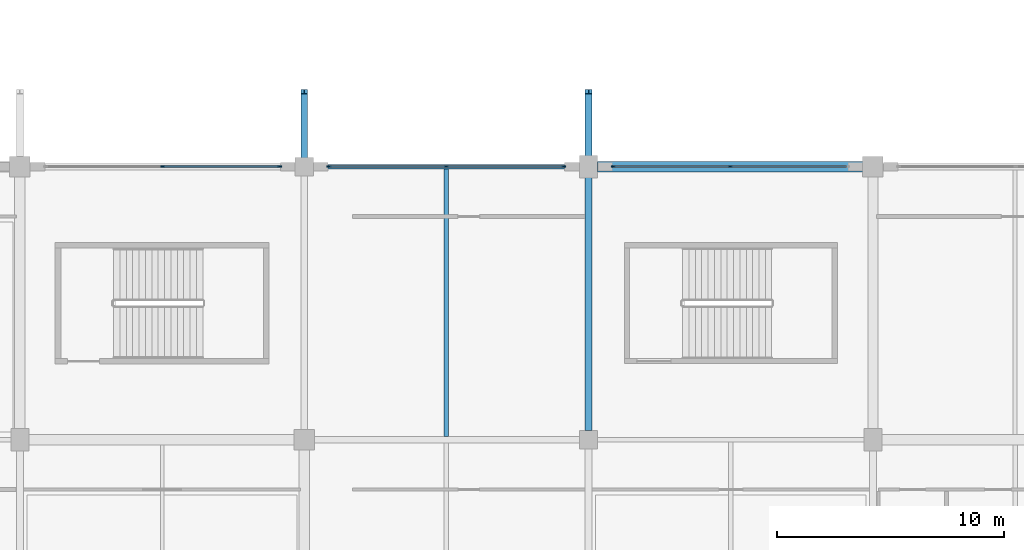
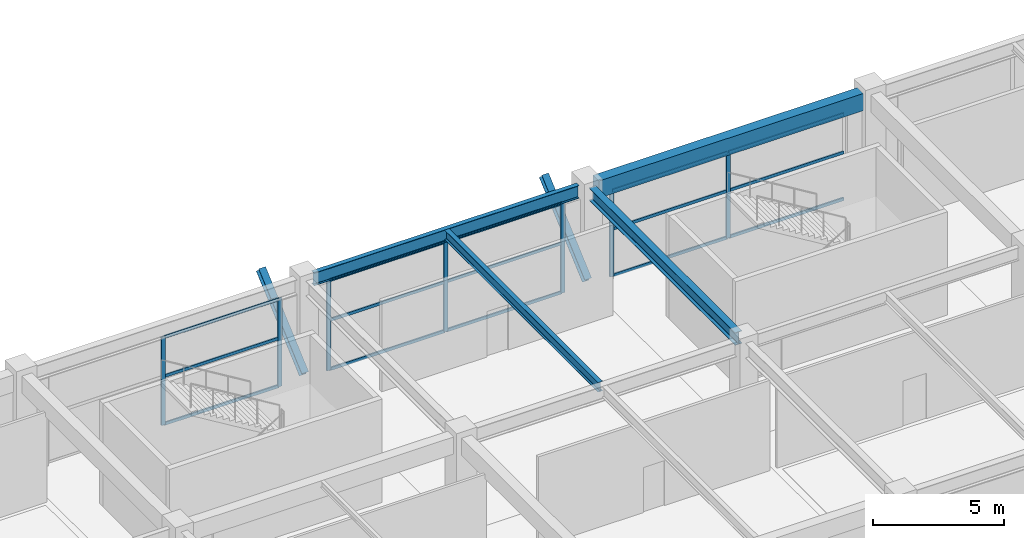
# One storey, part 32 of 116: 24 members, 4 beams, 3 elements without a shape of their own.
"""IFC4 building model written with IfcOpenShell, lengths in metres."""

import ifcopenshell
import ifcopenshell.guid

model = None  # the IFC model being written
_history = None  # IfcOwnerHistory: only IFC2X3 demands one
_inside = {}  # id of a spatial element -> (the spatial element, [elements in it])
_under = {}  # id of a project, library or spatial element -> (it, [spatial elements below it])
_declared = {}  # id of a project -> (the project, [libraries it declares])
_typed = {}  # id of a type object -> (the type object, [elements of that type])
_made_of = {}  # id of a material, layer set ... -> (it, [elements and type objects made of it])


def new_model(schema):
    """Start an empty IFC model of exactly this schema.

    Asked for "IFC4X3", IfcOpenShell would pick the latest addendum, in which some entities
    have other attributes; the version numbers below select the first issue.
    IFC2X3 requires an IfcOwnerHistory on every rooted entity: one is made here for all.
    """
    global model, _history
    if schema == "IFC4X3":
        model = ifcopenshell.file(schema_version=(4, 3, 0, 0))
    else:
        model = ifcopenshell.file(schema=schema)
    _inside.clear()
    _under.clear()
    _declared.clear()
    _typed.clear()
    _made_of.clear()
    _history = None
    if model.schema == "IFC2X3":
        org = make("IfcOrganization", Name="unknown")
        user = make(
            "IfcPersonAndOrganization",
            ThePerson=make("IfcPerson", FamilyName="unknown"),
            TheOrganization=org,
        )
        app = make(
            "IfcApplication",
            ApplicationDeveloper=org,
            Version="unknown",
            ApplicationFullName="unknown",
            ApplicationIdentifier="unknown",
        )
        _history = make(
            "IfcOwnerHistory",
            OwningUser=user,
            OwningApplication=app,
            ChangeAction="ADDED",
            CreationDate=0,
        )
    return model


def make(cls, **values):
    """One entity of the class cls with the attributes given. An attribute that is None is left unset."""
    return model.create_entity(
        cls, **{name: value for name, value in values.items() if value is not None}
    )


def rooted(cls, **values):
    """An entity with a GlobalId (a new one), such as an element, a storey or a relation."""
    return make(cls, GlobalId=ifcopenshell.guid.new(), OwnerHistory=_history, **values)


def si_unit(unit_type, name, prefix=None):
    """IfcSIUnit, for example si_unit("LENGTHUNIT", "METRE", prefix="MILLI")."""
    return make("IfcSIUnit", UnitType=unit_type, Prefix=prefix, Name=name)


def assignment(units):
    """IfcUnitAssignment: the units of a project."""
    return None if units is None else make("IfcUnitAssignment", Units=units)


def point(xyz):
    """IfcCartesianPoint."""
    return None if xyz is None else make("IfcCartesianPoint", Coordinates=xyz)


def direction(xyz):
    """IfcDirection."""
    return None if xyz is None else make("IfcDirection", DirectionRatios=xyz)


def frame(location, z_axis=None, x_axis=None):
    """IfcAxis2Placement3D, a coordinate frame: its origin and axes. An axis left out is left unset."""
    return make(
        "IfcAxis2Placement3D",
        Location=point(location),
        Axis=direction(z_axis),
        RefDirection=direction(x_axis),
    )


def frame_2d(location, x_axis=None):
    """IfcAxis2Placement2D, a coordinate frame in the plane: its origin and x axis."""
    return make(
        "IfcAxis2Placement2D", Location=point(location), RefDirection=direction(x_axis)
    )


def origin():
    """The frame at (0, 0, 0) with its axes left unset."""
    return frame((0.0, 0.0, 0.0))


def origin_2d():
    """The frame at (0, 0) in the plane with its x axis left unset."""
    return frame_2d((0.0, 0.0))


def place(relative_to, where):
    """IfcLocalPlacement: puts the frame where relative to a parent placement (None: the world)."""
    return make(
        "IfcLocalPlacement", PlacementRelTo=relative_to, RelativePlacement=where
    )


def context(
    kind, dimensions, precision=None, world=None, true_north=None, identifier=None
):
    """IfcGeometricRepresentationContext, for example the 3D "Model" context."""
    return make(
        "IfcGeometricRepresentationContext",
        ContextIdentifier=identifier,
        ContextType=kind,
        CoordinateSpaceDimension=dimensions,
        Precision=precision,
        WorldCoordinateSystem=world,
        TrueNorth=true_north,
    )


def subcontext(parent, identifier, kind, view, scale=None):
    """IfcGeometricRepresentationSubContext, for example "Body" below "Model"."""
    return make(
        "IfcGeometricRepresentationSubContext",
        ContextIdentifier=identifier,
        ContextType=kind,
        ParentContext=parent,
        TargetScale=scale,
        TargetView=view,
    )


def project(units=None, contexts=None):
    """IfcProject with its units and contexts."""
    return rooted(
        "IfcProject",
        Name="project",
        RepresentationContexts=contexts,
        UnitsInContext=assignment(units),
    )


def spatial(cls, under=None, at=None, **own):
    """A site, building, storey or space (cls), placed at a placement, below another one or the project."""
    s = rooted(cls, ObjectPlacement=at, **own)
    if under is not None:
        _under.setdefault(under.id(), (under, []))[1].append(s)
    return s


def profile(cls, at=None, kind="AREA", **sizes):
    """A parametric profile (cls). Its sizes go by their IFC names, for example OverallWidth=200.0."""
    return make(cls, ProfileType=kind, Position=at, **sizes)


def rectangle(**sizes):
    """IfcRectangleProfileDef."""
    return profile("IfcRectangleProfileDef", **sizes)


def i_section(**sizes):
    """IfcIShapeProfileDef."""
    return profile("IfcIShapeProfileDef", **sizes)


def extrude(swept, where, along, depth):
    """IfcExtrudedAreaSolid: the profile swept, set in the frame where, extruded along a direction by depth."""
    return make(
        "IfcExtrudedAreaSolid",
        SweptArea=swept,
        Position=where,
        ExtrudedDirection=direction(along),
        Depth=depth,
    )


def shape(context_of_items, identifier, shape_type, items):
    """IfcShapeRepresentation: the items that make up one representation, for example the "Body"."""
    return make(
        "IfcShapeRepresentation",
        ContextOfItems=context_of_items,
        RepresentationIdentifier=identifier,
        RepresentationType=shape_type,
        Items=items,
    )


def material(Name=None, Category=None):
    """IfcMaterial."""
    return make("IfcMaterial", Name=Name, Category=Category)


def layer(
    of_material, thickness, ventilated=None, Name=None, Category=None, Priority=None
):
    """IfcMaterialLayer: one layer of a wall or slab, of a material (None: an air gap)."""
    return make(
        "IfcMaterialLayer",
        Material=of_material,
        LayerThickness=thickness,
        IsVentilated=ventilated,
        Name=Name,
        Category=Category,
        Priority=Priority,
    )


def layer_set(layers, Name=None):
    """IfcMaterialLayerSet."""
    return make("IfcMaterialLayerSet", MaterialLayers=layers, LayerSetName=Name)


def material_profile(
    of_material, cross_section, Name=None, Category=None, Priority=None
):
    """IfcMaterialProfile: a cross section and its material."""
    return make(
        "IfcMaterialProfile",
        Name=Name,
        Material=of_material,
        Profile=cross_section,
        Priority=Priority,
        Category=Category,
    )


def profile_set(profiles, Name=None, composite=None):
    """IfcMaterialProfileSet."""
    return make(
        "IfcMaterialProfileSet",
        Name=Name,
        MaterialProfiles=profiles,
        CompositeProfile=composite,
    )


def made_of(thing, what):
    """Note that an element or type object is made of a material, layer set ...; save() writes the relation."""
    if what is not None:
        _made_of.setdefault(what.id(), (what, []))[1].append(thing)
    return thing


def type_object(cls, material=None, **own):
    """A type object (cls), such as IfcWallType, which elements share."""
    return made_of(rooted(cls, **own), material)


def element(
    cls,
    number,
    at=None,
    inside=None,
    cuts=None,
    type_object=None,
    material=None,
    context=None,
    identifier="Body",
    shape_type=None,
    held_by="IfcProductDefinitionShape",
    body=None,
    shapes=None,
    **own,
):
    """One element of the class cls, such as IfcWall. Its Tag is "e" and its number.

    at: its placement. inside: the storey or other place that contains it. cuts: it is an
    opening in that element (IfcRelVoidsElement). A single representation is given by context,
    identifier, shape_type and body (its items); several are given by shapes. held_by: the class
    of the entity that holds the representations. save() writes the other relations.
    """
    e = rooted(cls, Tag="e%d" % number, ObjectPlacement=at, **own)
    if body is not None:
        shapes = [shape(context, identifier, shape_type, body)]
    if shapes is not None:
        e.Representation = make(held_by, Representations=shapes)
    if inside is not None:
        _inside.setdefault(inside.id(), (inside, []))[1].append(e)
    if cuts is not None:
        rooted(
            "IfcRelVoidsElement", RelatingBuildingElement=cuts, RelatedOpeningElement=e
        )
    if type_object is not None:
        _typed.setdefault(type_object.id(), (type_object, []))[1].append(e)
    return made_of(e, material)


def aggregate(whole, parts):
    """IfcRelAggregates: a whole, such as a stair, and the parts it consists of."""
    return rooted("IfcRelAggregates", RelatingObject=whole, RelatedObjects=parts)


def save(model, path):
    """Write the relations noted so far, then the file.

    IfcRelAggregates (storeys below a building ...), IfcRelContainedInSpatialStructure (elements
    in a storey), IfcRelDefinesByType, IfcRelAssociatesMaterial and IfcRelDeclares: one each for
    every whole, place, type object, material and project.
    """
    for whole, parts in _under.values():
        aggregate(whole, parts)
    for where, things in _inside.values():
        rooted(
            "IfcRelContainedInSpatialStructure",
            RelatedElements=things,
            RelatingStructure=where,
        )
    for kind, things in _typed.values():
        rooted("IfcRelDefinesByType", RelatedObjects=things, RelatingType=kind)
    for what, things in _made_of.values():
        rooted("IfcRelAssociatesMaterial", RelatedObjects=things, RelatingMaterial=what)
    for by, libraries in _declared.values():
        rooted("IfcRelDeclares", RelatingContext=by, RelatedDefinitions=libraries)
    model.write(path)


model = new_model("IFC4")

# Units and contexts
model_context = context("Model", 3, precision=1e-05, world=origin(), true_north=direction((0.0, 1.0)))
body_context = subcontext(model_context, "Body", "Model", "MODEL_VIEW")
ifc_project = project(units=[si_unit("LENGTHUNIT", "METRE"), si_unit("AREAUNIT", "SQUARE_METRE"), si_unit("VOLUMEUNIT", "CUBIC_METRE"), si_unit("PLANEANGLEUNIT", "RADIAN"), si_unit("MASSUNIT", "GRAM", prefix="KILO")], contexts=[model_context])

# Site, building, storey
site_placement = place(None, origin())
site = spatial("IfcSite", under=ifc_project, at=site_placement, CompositionType="ELEMENT")
building_placement = place(site_placement, origin())
building = spatial("IfcBuilding", under=site, at=building_placement, Name="Kazenohara Klinker Stadium", CompositionType="ELEMENT")
storey_placement = place(building_placement, frame((0.0, 0.0, 10.199951171875)))
storey = spatial("IfcBuildingStorey", under=building, at=storey_placement, Name="L02", CompositionType="ELEMENT", Elevation=10.199951171875)

# Beams
ifc_material_1 = material(Name="Steel S355", Category="steel")
ifc_material_profile_1 = material_profile(ifc_material_1, i_section(OverallWidth=0.199951171875, OverallDepth=0.449951171875, WebThickness=0.009033203125, FlangeThickness=0.013916015625, FilletRadius=0.012939453125, at=origin_2d()), Name="H-450x200x9x14")
ifc_profile_set_1 = profile_set([ifc_material_profile_1], Name="Steel S355")
beam_type_1 = type_object("IfcBeamType", Name="BM-JST02", PredefinedType="JOIST", material=ifc_profile_set_1)
beam_1_placement = place(storey_placement, frame((143.75, 24.14990234375, 4.594970703125), z_axis=(0.0, 1.0, 0.0), x_axis=(-1.0, 0.0, 0.0)))
element("IfcBeam", 1, at=beam_1_placement, inside=storey, type_object=beam_type_1, Name="Secondary floor joist SJ02 L02 12/C", PredefinedType="JOIST", context=body_context, shape_type="SweptSolid", body=[
    extrude(i_section(OverallWidth=0.199951171875, OverallDepth=0.449951171875, WebThickness=0.009033203125, FlangeThickness=0.013916015625, FilletRadius=0.012939453125, at=origin_2d()), origin(), (0.0, 0.0, 1.0), 11.75),
])
ifc_material_2 = material(Name="Concrete C40/50", Category="concrete")
ifc_material_profile_2 = material_profile(ifc_material_2, rectangle(XDim=0.449951171875, YDim=0.800048828125, at=origin_2d()), Name="RC-BM-450x800")
ifc_profile_set_2 = profile_set([ifc_material_profile_2], Name="Concrete C40/50")
beam_type_2 = type_object("IfcBeamType", Name="BM-RC03", PredefinedType="BEAM", material=ifc_profile_set_2)
beam_2_placement = place(storey_placement, frame((150.39990234375, 36.0, 4.420166015625), z_axis=(1.0, 0.0, 0.0), x_axis=(0.0, 1.0, 0.0)))
element("IfcBeam", 2, at=beam_2_placement, inside=storey, type_object=beam_type_2, Name="Primary girder BG03 L02 13-14/D", PredefinedType="BEAM", context=body_context, shape_type="SweptSolid", body=[
    extrude(rectangle(XDim=0.449951171875, YDim=0.800048828125, at=origin_2d()), origin(), (0.0, 0.0, 1.0), 11.68017578125),
])
ifc_material_profile_3 = material_profile(ifc_material_1, i_section(OverallWidth=0.199951171875, OverallDepth=0.60009765625, WebThickness=0.010986328125, FlangeThickness=0.01708984375, FilletRadius=0.012939453125, at=origin_2d()), Name="H-600x200x11x17")
ifc_profile_set_3 = profile_set([ifc_material_profile_3], Name="Steel S355")
beam_type_3 = type_object("IfcBeamType", Name="BM-ST04", PredefinedType="BEAM", material=ifc_profile_set_3)
beam_3_placement = place(storey_placement, frame((137.89990234375, 36.0, 4.52001953125), z_axis=(1.0, 0.0, 0.0), x_axis=(0.0, 1.0, 0.0)))
element("IfcBeam", 3, at=beam_3_placement, inside=storey, type_object=beam_type_3, Name="Primary girder SB04 L02 12-13/D", PredefinedType="BEAM", context=body_context, shape_type="SweptSolid", body=[
    extrude(i_section(OverallWidth=0.199951171875, OverallDepth=0.60009765625, WebThickness=0.010986328125, FlangeThickness=0.01708984375, FilletRadius=0.012939453125, at=origin_2d()), origin(), (0.0, 0.0, 1.0), 11.7001953125),
])
ifc_material_profile_4 = material_profile(ifc_material_1, i_section(OverallWidth=0.300048828125, OverallDepth=0.587890625, WebThickness=0.011962890625, FlangeThickness=0.02001953125, FilletRadius=0.02197265625, at=origin_2d()), Name="H-588x300x12x20")
ifc_profile_set_4 = profile_set([ifc_material_profile_4], Name="Steel S355")
beam_type_4 = type_object("IfcBeamType", Name="BM-ST05", PredefinedType="BEAM", material=ifc_profile_set_4)
beam_4_placement = place(storey_placement, frame((150.0, 24.39990234375, 4.526123046875), z_axis=(0.0, 1.0, 0.0), x_axis=(-1.0, 0.0, 0.0)))
element("IfcBeam", 4, at=beam_4_placement, inside=storey, type_object=beam_type_4, Name="Primary girder SB05 L02 13/C-D", PredefinedType="BEAM", context=body_context, shape_type="SweptSolid", body=[
    extrude(i_section(OverallWidth=0.300048828125, OverallDepth=0.587890625, WebThickness=0.011962890625, FlangeThickness=0.02001953125, FilletRadius=0.02197265625, at=origin_2d()), origin(), (0.0, 0.0, 1.0), 11.18017578125),
])

# Curtain wall, members
ifc_material_3 = material(Name="Anodised aluminium and triple glazing", Category="aluminium")
ifc_layer_1 = layer(ifc_material_3, 0.18994140625)
ifc_layer_set_1 = layer_set([ifc_layer_1], Name="Anodised aluminium and triple glazing")
curtain_wall_type_1 = type_object("IfcCurtainWallType", Name="CW-SYS-05", PredefinedType="USERDEFINED", material=ifc_layer_set_1)
curtain_wall_1_placement = place(storey_placement, origin())
curtain_wall_1 = element("IfcCurtainWall", 5, at=curtain_wall_1_placement, inside=storey, type_object=curtain_wall_type_1, Name="Unitised facade curtain wall CW05 L02 X10-3", ObjectType="UNITISED CURTAIN WALL", PredefinedType="USERDEFINED")
ifc_material_4 = material(Name="Anodised aluminium 6063-T6", Category="aluminium")
ifc_material_profile_5 = material_profile(ifc_material_4, rectangle(XDim=0.06494140625, YDim=0.179931640625, at=origin_2d()), Name="ALU-MUL-65x180")
ifc_profile_set_5 = profile_set([ifc_material_profile_5], Name="Anodised aluminium 6063-T6")
member_type_1 = type_object("IfcMemberType", Name="CW-MUL-180", PredefinedType="MULLION", material=ifc_profile_set_5)
member_1_placement = place(storey_placement, frame((131.27490234375, 36.0, 0.0), z_axis=(0.0, 0.0, 1.0), x_axis=(0.0, 1.0, 0.0)))
member_1 = element("IfcMember", 6, at=member_1_placement, type_object=member_type_1, Name="CW05 mullion 2", PredefinedType="MULLION", context=body_context, shape_type="SweptSolid", body=[
    extrude(rectangle(XDim=0.06494140625, YDim=0.179931640625, at=origin_2d()), origin(), (0.0, 0.0, 1.0), 4.1201171875),
])
member_2_placement = place(storey_placement, frame((136.41357421875, 36.0, 0.0), z_axis=(0.0, 0.0, 1.0), x_axis=(0.0, 1.0, 0.0)))
member_2 = element("IfcMember", 7, at=member_2_placement, type_object=member_type_1, Name="CW05 mullion 3", PredefinedType="MULLION", context=body_context, shape_type="SweptSolid", body=[
    extrude(rectangle(XDim=0.06494140625, YDim=0.179931640625, at=origin_2d()), origin(), (0.0, 0.0, 1.0), 4.1201171875),
])

ifc_layer_2 = layer(ifc_material_3, 0.179931640625)
ifc_layer_set_2 = layer_set([ifc_layer_2], Name="Anodised aluminium and triple glazing")
curtain_wall_type_2 = type_object("IfcCurtainWallType", Name="CW-SYS-02", PredefinedType="USERDEFINED", material=ifc_layer_set_2)
curtain_wall_2_placement = place(storey_placement, origin())
curtain_wall_2 = element("IfcCurtainWall", 8, at=curtain_wall_2_placement, inside=storey, type_object=curtain_wall_type_2, Name="Unitised facade curtain wall CW02 L02 X11-3", ObjectType="UNITISED CURTAIN WALL", PredefinedType="USERDEFINED")
member_3_placement = place(storey_placement, frame((138.58642578125, 36.0, 0.0), z_axis=(0.0, 0.0, 1.0), x_axis=(0.0, 1.0, 0.0)))
member_3 = element("IfcMember", 9, at=member_3_placement, type_object=member_type_1, Name="CW02 mullion 1", PredefinedType="MULLION", context=body_context, shape_type="SweptSolid", body=[
    extrude(rectangle(XDim=0.06494140625, YDim=0.179931640625, at=origin_2d()), origin(), (0.0, 0.0, 1.0), 4.219970703125),
])
member_4_placement = place(storey_placement, frame((143.75, 36.0, 0.0), z_axis=(0.0, 0.0, 1.0), x_axis=(0.0, 1.0, 0.0)))
member_4 = element("IfcMember", 10, at=member_4_placement, type_object=member_type_1, Name="CW02 mullion 2", PredefinedType="MULLION", context=body_context, shape_type="SweptSolid", body=[
    extrude(rectangle(XDim=0.06494140625, YDim=0.179931640625, at=origin_2d()), origin(), (0.0, 0.0, 1.0), 4.219970703125),
])
member_5_placement = place(storey_placement, frame((148.91357421875, 36.0, 0.0), z_axis=(0.0, 0.0, 1.0), x_axis=(0.0, 1.0, 0.0)))
member_5 = element("IfcMember", 11, at=member_5_placement, type_object=member_type_1, Name="CW02 mullion 3", PredefinedType="MULLION", context=body_context, shape_type="SweptSolid", body=[
    extrude(rectangle(XDim=0.06494140625, YDim=0.179931640625, at=origin_2d()), origin(), (0.0, 0.0, 1.0), 4.219970703125),
])

ifc_layer_3 = layer(ifc_material_3, 0.169921875)
ifc_layer_set_3 = layer_set([ifc_layer_3], Name="Anodised aluminium and triple glazing")
curtain_wall_type_3 = type_object("IfcCurtainWallType", Name="CW-SYS-04", PredefinedType="USERDEFINED", material=ifc_layer_set_3)
curtain_wall_3_placement = place(storey_placement, origin())
curtain_wall_3 = element("IfcCurtainWall", 12, at=curtain_wall_3_placement, inside=storey, type_object=curtain_wall_type_3, Name="Unitised facade curtain wall CW04 L02 X12-3", ObjectType="UNITISED CURTAIN WALL", PredefinedType="USERDEFINED")
member_6_placement = place(storey_placement, frame((151.08642578125, 36.0, 0.0), z_axis=(0.0, 0.0, 1.0), x_axis=(0.0, 1.0, 0.0)))
member_6 = element("IfcMember", 13, at=member_6_placement, type_object=member_type_1, Name="CW04 mullion 1", PredefinedType="MULLION", context=body_context, shape_type="SweptSolid", body=[
    extrude(rectangle(XDim=0.06494140625, YDim=0.179931640625, at=origin_2d()), origin(), (0.0, 0.0, 1.0), 4.02001953125),
])
member_7_placement = place(storey_placement, frame((156.22509765625, 36.0, 0.0), z_axis=(0.0, 0.0, 1.0), x_axis=(0.0, 1.0, 0.0)))
member_7 = element("IfcMember", 14, at=member_7_placement, type_object=member_type_1, Name="CW04 mullion 2", PredefinedType="MULLION", context=body_context, shape_type="SweptSolid", body=[
    extrude(rectangle(XDim=0.06494140625, YDim=0.179931640625, at=origin_2d()), origin(), (0.0, 0.0, 1.0), 4.02001953125),
])

# Member
ifc_material_profile_6 = material_profile(ifc_material_4, rectangle(XDim=0.06494140625, YDim=0.139892578125, at=origin_2d()), Name="ALU-TRN-65x140")
ifc_profile_set_6 = profile_set([ifc_material_profile_6], Name="Anodised aluminium 6063-T6")
member_type_2 = type_object("IfcMemberType", Name="CW-TRN-140", PredefinedType="USERDEFINED", material=ifc_profile_set_6)
member_8_placement = place(storey_placement, frame((131.3076171875, 36.0, 0.032470703125), z_axis=(1.0, 0.0, 0.0), x_axis=(0.0, 1.0, 0.0)))
member_8 = element("IfcMember", 15, at=member_8_placement, type_object=member_type_2, Name="CW05 transom 2.1", ObjectType="TRANSOM", PredefinedType="USERDEFINED", context=body_context, shape_type="SweptSolid", body=[
    extrude(rectangle(XDim=0.06494140625, YDim=0.139892578125, at=origin_2d()), origin(), (0.0, 0.0, 1.0), 5.073486328125),
])

member_9_placement = place(storey_placement, frame((131.3076171875, 36.0, 2.26611328125), z_axis=(1.0, 0.0, 0.0), x_axis=(0.0, 1.0, 0.0)))
member_9 = element("IfcMember", 16, at=member_9_placement, type_object=member_type_2, Name="CW05 transom 2.2", ObjectType="TRANSOM", PredefinedType="USERDEFINED", context=body_context, shape_type="SweptSolid", body=[
    extrude(rectangle(XDim=0.06494140625, YDim=0.139892578125, at=origin_2d()), origin(), (0.0, 0.0, 1.0), 5.073486328125),
])

member_10_placement = place(storey_placement, frame((131.3076171875, 36.0, 4.087646484375), z_axis=(1.0, 0.0, 0.0), x_axis=(0.0, 1.0, 0.0)))
member_10 = element("IfcMember", 17, at=member_10_placement, type_object=member_type_2, Name="CW05 transom 2.3", ObjectType="TRANSOM", PredefinedType="USERDEFINED", context=body_context, shape_type="SweptSolid", body=[
    extrude(rectangle(XDim=0.06494140625, YDim=0.139892578125, at=origin_2d()), origin(), (0.0, 0.0, 1.0), 5.073486328125),
])

aggregate(curtain_wall_1, [member_1, member_2, member_8, member_9, member_10])

member_11_placement = place(storey_placement, frame((138.618896484375, 36.0, 0.032470703125), z_axis=(1.0, 0.0, 0.0), x_axis=(0.0, 1.0, 0.0)))
member_11 = element("IfcMember", 18, at=member_11_placement, type_object=member_type_2, Name="CW02 transom 1.1", ObjectType="TRANSOM", PredefinedType="USERDEFINED", context=body_context, shape_type="SweptSolid", body=[
    extrude(rectangle(XDim=0.06494140625, YDim=0.139892578125, at=origin_2d()), origin(), (0.0, 0.0, 1.0), 5.0986328125),
])

member_12_placement = place(storey_placement, frame((138.618896484375, 36.0, 2.321044921875), z_axis=(1.0, 0.0, 0.0), x_axis=(0.0, 1.0, 0.0)))
member_12 = element("IfcMember", 19, at=member_12_placement, type_object=member_type_2, Name="CW02 transom 1.2", ObjectType="TRANSOM", PredefinedType="USERDEFINED", context=body_context, shape_type="SweptSolid", body=[
    extrude(rectangle(XDim=0.06494140625, YDim=0.139892578125, at=origin_2d()), origin(), (0.0, 0.0, 1.0), 5.0986328125),
])

member_13_placement = place(storey_placement, frame((138.618896484375, 36.0, 4.1875), z_axis=(1.0, 0.0, 0.0), x_axis=(0.0, 1.0, 0.0)))
member_13 = element("IfcMember", 20, at=member_13_placement, type_object=member_type_2, Name="CW02 transom 1.3", ObjectType="TRANSOM", PredefinedType="USERDEFINED", context=body_context, shape_type="SweptSolid", body=[
    extrude(rectangle(XDim=0.06494140625, YDim=0.139892578125, at=origin_2d()), origin(), (0.0, 0.0, 1.0), 5.0986328125),
])

member_14_placement = place(storey_placement, frame((143.782470703125, 36.0, 0.032470703125), z_axis=(1.0, 0.0, 0.0), x_axis=(0.0, 1.0, 0.0)))
member_14 = element("IfcMember", 21, at=member_14_placement, type_object=member_type_2, Name="CW02 transom 2.1", ObjectType="TRANSOM", PredefinedType="USERDEFINED", context=body_context, shape_type="SweptSolid", body=[
    extrude(rectangle(XDim=0.06494140625, YDim=0.139892578125, at=origin_2d()), origin(), (0.0, 0.0, 1.0), 5.0986328125),
])

member_15_placement = place(storey_placement, frame((143.782470703125, 36.0, 2.321044921875), z_axis=(1.0, 0.0, 0.0), x_axis=(0.0, 1.0, 0.0)))
member_15 = element("IfcMember", 22, at=member_15_placement, type_object=member_type_2, Name="CW02 transom 2.2", ObjectType="TRANSOM", PredefinedType="USERDEFINED", context=body_context, shape_type="SweptSolid", body=[
    extrude(rectangle(XDim=0.06494140625, YDim=0.139892578125, at=origin_2d()), origin(), (0.0, 0.0, 1.0), 5.0986328125),
])

member_16_placement = place(storey_placement, frame((143.782470703125, 36.0, 4.1875), z_axis=(1.0, 0.0, 0.0), x_axis=(0.0, 1.0, 0.0)))
member_16 = element("IfcMember", 23, at=member_16_placement, type_object=member_type_2, Name="CW02 transom 2.3", ObjectType="TRANSOM", PredefinedType="USERDEFINED", context=body_context, shape_type="SweptSolid", body=[
    extrude(rectangle(XDim=0.06494140625, YDim=0.139892578125, at=origin_2d()), origin(), (0.0, 0.0, 1.0), 5.0986328125),
])

aggregate(curtain_wall_2, [member_3, member_4, member_5, member_11, member_12, member_13, member_14, member_15, member_16])

member_17_placement = place(storey_placement, frame((151.118896484375, 36.0, 0.032470703125), z_axis=(1.0, 0.0, 0.0), x_axis=(0.0, 1.0, 0.0)))
member_17 = element("IfcMember", 24, at=member_17_placement, type_object=member_type_2, Name="CW04 transom 1.1", ObjectType="TRANSOM", PredefinedType="USERDEFINED", context=body_context, shape_type="SweptSolid", body=[
    extrude(rectangle(XDim=0.06494140625, YDim=0.139892578125, at=origin_2d()), origin(), (0.0, 0.0, 1.0), 5.073486328125),
])

member_18_placement = place(storey_placement, frame((151.118896484375, 36.0, 2.2109375), z_axis=(1.0, 0.0, 0.0), x_axis=(0.0, 1.0, 0.0)))
member_18 = element("IfcMember", 25, at=member_18_placement, type_object=member_type_2, Name="CW04 transom 1.2", ObjectType="TRANSOM", PredefinedType="USERDEFINED", context=body_context, shape_type="SweptSolid", body=[
    extrude(rectangle(XDim=0.06494140625, YDim=0.139892578125, at=origin_2d()), origin(), (0.0, 0.0, 1.0), 5.073486328125),
])

member_19_placement = place(storey_placement, frame((151.118896484375, 36.0, 3.987548828125), z_axis=(1.0, 0.0, 0.0), x_axis=(0.0, 1.0, 0.0)))
member_19 = element("IfcMember", 26, at=member_19_placement, type_object=member_type_2, Name="CW04 transom 1.3", ObjectType="TRANSOM", PredefinedType="USERDEFINED", context=body_context, shape_type="SweptSolid", body=[
    extrude(rectangle(XDim=0.06494140625, YDim=0.139892578125, at=origin_2d()), origin(), (0.0, 0.0, 1.0), 5.073486328125),
])

member_20_placement = place(storey_placement, frame((156.257568359375, 36.0, 0.032470703125), z_axis=(1.0, 0.0, 0.0), x_axis=(0.0, 1.0, 0.0)))
member_20 = element("IfcMember", 27, at=member_20_placement, type_object=member_type_2, Name="CW04 transom 2.1", ObjectType="TRANSOM", PredefinedType="USERDEFINED", context=body_context, shape_type="SweptSolid", body=[
    extrude(rectangle(XDim=0.06494140625, YDim=0.139892578125, at=origin_2d()), origin(), (0.0, 0.0, 1.0), 5.073486328125),
])

member_21_placement = place(storey_placement, frame((156.257568359375, 36.0, 2.2109375), z_axis=(1.0, 0.0, 0.0), x_axis=(0.0, 1.0, 0.0)))
member_21 = element("IfcMember", 28, at=member_21_placement, type_object=member_type_2, Name="CW04 transom 2.2", ObjectType="TRANSOM", PredefinedType="USERDEFINED", context=body_context, shape_type="SweptSolid", body=[
    extrude(rectangle(XDim=0.06494140625, YDim=0.139892578125, at=origin_2d()), origin(), (0.0, 0.0, 1.0), 5.073486328125),
])

member_22_placement = place(storey_placement, frame((156.257568359375, 36.0, 3.987548828125), z_axis=(1.0, 0.0, 0.0), x_axis=(0.0, 1.0, 0.0)))
member_22 = element("IfcMember", 29, at=member_22_placement, type_object=member_type_2, Name="CW04 transom 2.3", ObjectType="TRANSOM", PredefinedType="USERDEFINED", context=body_context, shape_type="SweptSolid", body=[
    extrude(rectangle(XDim=0.06494140625, YDim=0.139892578125, at=origin_2d()), origin(), (0.0, 0.0, 1.0), 5.073486328125),
])

aggregate(curtain_wall_3, [member_6, member_7, member_17, member_18, member_19, member_20, member_21, member_22])

# Members
ifc_material_profile_7 = material_profile(ifc_material_1, i_section(OverallWidth=0.300048828125, OverallDepth=0.300048828125, WebThickness=0.010009765625, FlangeThickness=0.014892578125, FilletRadius=0.012939453125, at=origin_2d()), Name="H-300x300x10x15")
ifc_profile_set_7 = profile_set([ifc_material_profile_7], Name="Steel S355")
member_type_3 = type_object("IfcMemberType", Name="MEM-BRC01", PredefinedType="BRACE", material=ifc_profile_set_7)
for number, where, z_axis, x_axis, name in (
    (30, (137.5, 36.0, 0.199951171875), (0.0, 0.750987889423, 0.660315977347), (-1.0, 0.0, 0.0), "Upper bowl raking bracket strut BR01 South 12"),
    (31, (150.0, 36.0, 0.199951171875), (0.0, 0.750987889423, 0.660315977347), (-1.0, 0.0, 0.0), "Upper bowl raking bracket strut BR01 South 13"),
):
    element("IfcMember", number, at=place(storey_placement, frame(where, z_axis=z_axis, x_axis=x_axis)), inside=storey, type_object=member_type_3, Name=name, PredefinedType="BRACE", context=body_context, shape_type="SweptSolid", body=[
        extrude(i_section(OverallWidth=0.300048828125, OverallDepth=0.300048828125, WebThickness=0.010009765625, FlangeThickness=0.014892578125, FilletRadius=0.012939453125, at=origin_2d()), origin(), (0.0, 0.0, 1.0), 4.394287109375),
    ])

save(model, "model.ifc")
